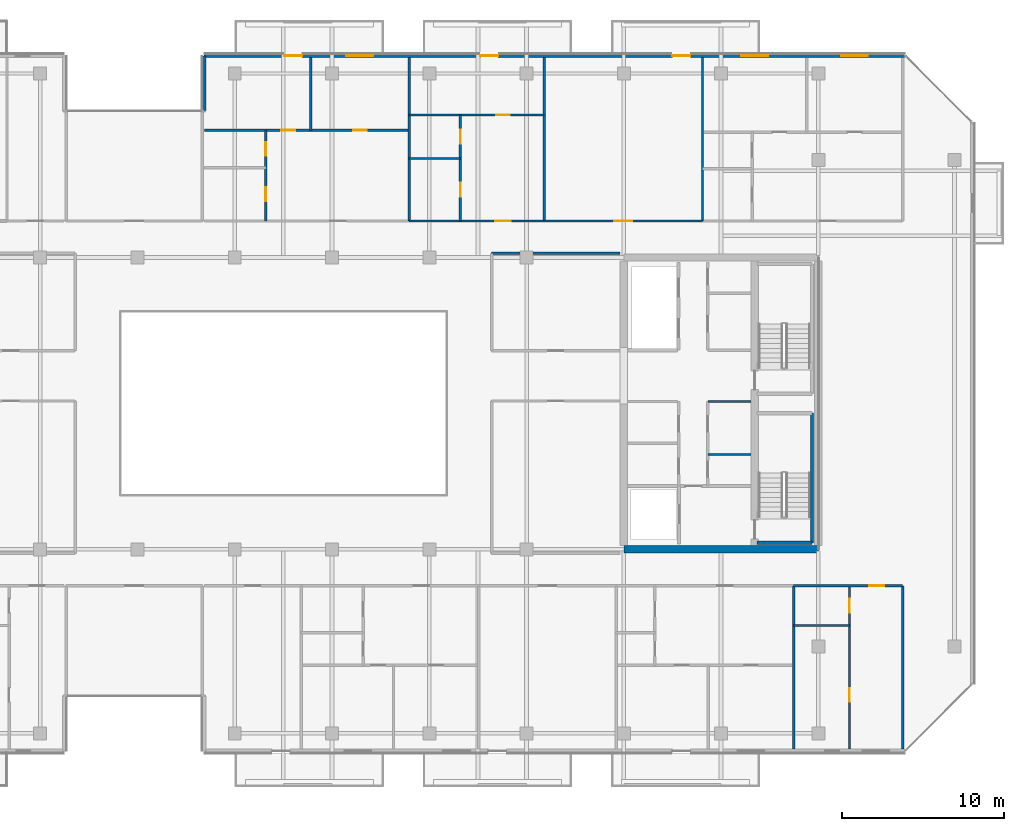
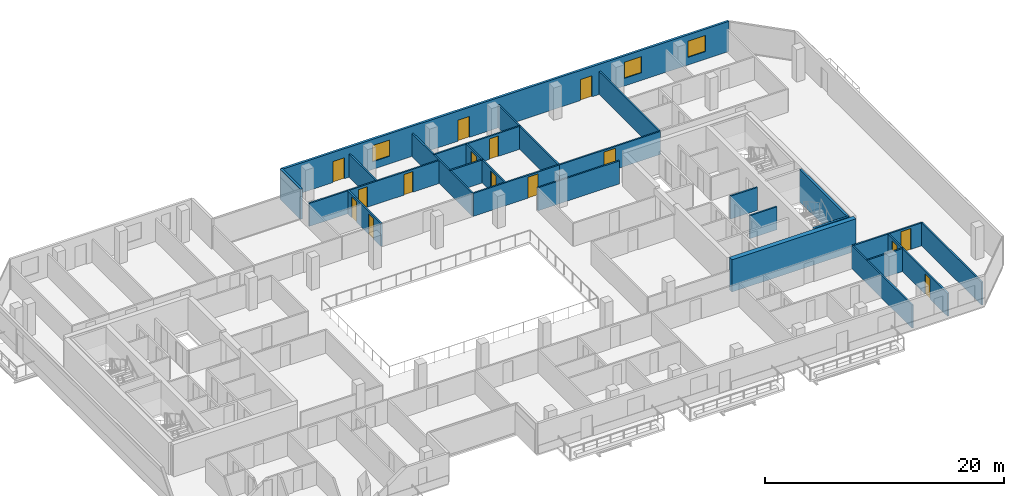
# One storey, part 22 of 29: 24 walls, 15 doors, 3 windows, 18 openings.
"""IFC4 building model written with IfcOpenShell, lengths in metres."""

from ifc_helpers import new_model, si_unit, direction, frame, frame_2d, origin, place, context, subcontext, project, spatial, rectangle, extrude, material, layer, layer_set, type_object, element, fill, save


model = new_model("IFC4")

# Units and contexts
model_context = context("Model", 3, precision=1e-05, world=origin(), true_north=direction((0.0, 1.0)))
body_context = subcontext(model_context, "Body", "Model", "MODEL_VIEW")
ifc_project = project(units=[si_unit("LENGTHUNIT", "METRE"), si_unit("AREAUNIT", "SQUARE_METRE"), si_unit("VOLUMEUNIT", "CUBIC_METRE"), si_unit("PLANEANGLEUNIT", "RADIAN"), si_unit("MASSUNIT", "GRAM", prefix="KILO")], contexts=[model_context])

# Site, building, storey
site_placement = place(None, origin())
site = spatial("IfcSite", under=ifc_project, at=site_placement, CompositionType="ELEMENT")
building_placement = place(site_placement, origin())
building = spatial("IfcBuilding", under=site, at=building_placement, Name="Tanjung Sevakor Pilgrim Tower", CompositionType="ELEMENT")
storey_placement = place(building_placement, frame((0.0, 0.0, 188.429931640625)))
storey = spatial("IfcBuildingStorey", under=building, at=storey_placement, Name="L52", CompositionType="ELEMENT", Elevation=188.429931640625)

# Walls
ifc_material_1 = material(Name="Concrete C60/75", Category="concrete")
ifc_layer_1 = layer(ifc_material_1, 0.449951171875)
ifc_layer_set_1 = layer_set([ifc_layer_1], Name="WALL-CW-450")
wall_type_1 = type_object("IfcWallType", Name="WALL-CW-450", PredefinedType="SHEAR", material=ifc_layer_set_1)
wall_1_placement = place(storey_placement, frame((78.0, 24.60009765625, 0.0), z_axis=(0.0, 0.0, 1.0), x_axis=(1.0, 0.0, 0.0)))
element("IfcWall", 1, at=wall_1_placement, inside=storey, type_object=wall_type_1, Name="L52 E Core South Shear Wall", PredefinedType="SHEAR", context=body_context, shape_type="SweptSolid", body=[
    extrude(rectangle(XDim=12.0, YDim=0.449951171875, at=frame_2d((6.0, 0.0))), origin(), (0.0, 0.0, 1.0), 3.300048828125),
])
ifc_material_2 = material(Name="Concrete C40/50", Category="concrete")
ifc_layer_2 = layer(ifc_material_2, 0.14990234375)
ifc_layer_set_2 = layer_set([ifc_layer_2], Name="WT-COMP-150")
wall_type_2 = type_object("IfcWallType", Name="WT-COMP-150", PredefinedType="SOLIDWALL", material=ifc_layer_set_2)
for number, where, z_axis, x_axis, name in (
    (2, (83.199951171875, 30.449951171875, 0.0), (0.0, 0.0, 1.0), (1.0, 0.0, 0.0), "L52 Partition IW-L52-016"),
    (3, (83.199951171875, 33.719970703125, 0.0), (0.0, 0.0, 1.0), (1.0, 0.0, 0.0), "L52 Partition IW-L52-017"),
):
    element("IfcWall", number, at=place(storey_placement, frame(where, z_axis=z_axis, x_axis=x_axis)), inside=storey, type_object=wall_type_2, Name=name, PredefinedType="SOLIDWALL", context=body_context, shape_type="SweptSolid", body=[
        extrude(rectangle(XDim=2.630126953125, YDim=0.14990234375, at=frame_2d((1.31494140625, 0.0))), origin(), (0.0, 0.0, 1.0), 2.35009765625),
    ])
wall_2_placement = place(storey_placement, frame((69.85009765625, 42.85009765625, 0.0), z_axis=(0.0, 0.0, 1.0), x_axis=(1.0, 0.0, 0.0)))
element("IfcWall", 4, at=wall_2_placement, inside=storey, type_object=wall_type_2, Name="L52 Partition IW-L52-037", PredefinedType="SOLIDWALL", context=body_context, shape_type="SweptSolid", body=[
    extrude(rectangle(XDim=7.90478515625, YDim=0.14990234375, at=frame_2d((3.952392578125, 0.0))), origin(), (0.0, 0.0, 1.0), 2.35009765625),
])
for number, where, z_axis, x_axis, name in (
    (5, (95.199951171875, 12.27001953125, 0.0), (0.0, 0.0, 1.0), (0.0, 1.0, 0.0), "L52 Partition IW-L52-057"),
    (6, (88.4765625, 12.27001953125, 0.0), (0.0, 0.0, 1.0), (0.0, 1.0, 0.0), "L52 Partition IW-L52-068"),
):
    element("IfcWall", number, at=place(storey_placement, frame(where, z_axis=z_axis, x_axis=x_axis)), inside=storey, type_object=wall_type_2, Name=name, PredefinedType="SOLIDWALL", context=body_context, shape_type="SweptSolid", body=[
        extrude(rectangle(XDim=10.080078125, YDim=0.14990234375, at=frame_2d((5.0400390625, 0.0))), origin(), (0.0, 0.0, 1.0), 2.35009765625),
    ])

# Wall, opening, door
wall_3_placement = place(storey_placement, frame((88.4765625, 22.35009765625, 0.0), z_axis=(0.0, 0.0, 1.0), x_axis=(1.0, 0.0, 0.0)))
wall_3 = element("IfcWall", 7, at=wall_3_placement, inside=storey, type_object=wall_type_2, Name="L52 Partition IW-L52-076", PredefinedType="SOLIDWALL", context=body_context, shape_type="SweptSolid", body=[
    extrude(rectangle(XDim=6.723388671875, YDim=0.14990234375, at=frame_2d((3.36181640625, 0.0))), origin(), (0.0, 0.0, 1.0), 2.35009765625),
])
opening_1_placement = place(wall_3_placement, frame((4.6484375, 0.0, 0.0)))
opening_1 = element("IfcOpeningElement", 8, at=opening_1_placement, cuts=wall_3, Name="Opening ID-FD2", PredefinedType="OPENING", context=body_context, shape_type="SweptSolid", body=[
    extrude(rectangle(XDim=0.949951171875, YDim=2.14990234375, at=frame_2d((0.47509765625, 1.074951171875))), frame((0.0, 0.0849609375, 0.0), z_axis=(0.0, -1.0, 0.0), x_axis=(1.0, 0.0, 0.0)), (0.0, 0.0, 1.0), 0.169921875),
])
ifc_material_3 = material(Name="Fire-Rated Timber", Category="wood")
door_type_1 = type_object("IfcDoorType", Name="DT-FIRE-950", OperationType="NOTDEFINED", PredefinedType="DOOR", material=ifc_material_3)
door_1_placement = place(opening_1_placement, origin())
door_1 = element("IfcDoor", 9, at=door_1_placement, inside=storey, type_object=door_type_1, Name="Hostel Quad Entrance", OperationType="SINGLE_SWING_RIGHT", OverallHeight=2.14990234375, OverallWidth=0.949951171875, PredefinedType="DOOR", context=body_context, shape_type="SweptSolid", body=[
    extrude(rectangle(XDim=0.949951171875, YDim=2.14990234375, at=frame_2d((0.47509765625, 1.074951171875))), frame((0.0, 0.02490234375, 0.0), z_axis=(0.0, -1.0, 0.0), x_axis=(1.0, 0.0, 0.0)), (0.0, 0.0, 1.0), 0.050048828125),
])
fill(opening_1, door_1)

# Walls
for number, where, z_axis, x_axis, name in (
    (10, (64.7568359375, 44.85009765625, 0.0), (0.0, 0.0, 1.0), (0.0, 1.0, 0.0), "L52 Partition IW-L52-086"),
    (11, (73.085693359375, 44.85009765625, 0.0), (0.0, 0.0, 1.0), (0.0, 1.0, 0.0), "L52 Partition IW-L52-092"),
):
    element("IfcWall", number, at=place(storey_placement, frame(where, z_axis=z_axis, x_axis=x_axis)), inside=storey, type_object=wall_type_2, Name=name, PredefinedType="SOLIDWALL", context=body_context, shape_type="SweptSolid", body=[
        extrude(rectangle(XDim=10.079833984375, YDim=0.14990234375, at=frame_2d((5.0400390625, 0.0))), origin(), (0.0, 0.0, 1.0), 2.35009765625),
    ])

# Wall, opening, door
wall_4_placement = place(storey_placement, frame((64.7568359375, 44.85009765625, 0.0), z_axis=(0.0, 0.0, 1.0), x_axis=(1.0, 0.0, 0.0)))
wall_4 = element("IfcWall", 12, at=wall_4_placement, inside=storey, type_object=wall_type_2, Name="L52 Partition IW-L52-096", PredefinedType="SOLIDWALL", context=body_context, shape_type="SweptSolid", body=[
    extrude(rectangle(XDim=8.328857421875, YDim=0.14990234375, at=frame_2d((4.16455078125, 0.0))), origin(), (0.0, 0.0, 1.0), 2.35009765625),
])
opening_2_placement = place(wall_4_placement, frame((5.31103515625, 0.0, 0.0)))
opening_2 = element("IfcOpeningElement", 13, at=opening_2_placement, cuts=wall_4, Name="Opening ID-FD2", PredefinedType="OPENING", context=body_context, shape_type="SweptSolid", body=[
    extrude(rectangle(XDim=0.949951171875, YDim=2.14990234375, at=frame_2d((0.47509765625, 1.074951171875))), frame((0.0, 0.0849609375, 0.0), z_axis=(0.0, -1.0, 0.0), x_axis=(1.0, 0.0, 0.0)), (0.0, 0.0, 1.0), 0.169921875),
])
door_2_placement = place(opening_2_placement, origin())
door_2 = element("IfcDoor", 14, at=door_2_placement, inside=storey, type_object=door_type_1, Name="Residence Entrance", OperationType="SINGLE_SWING_LEFT", OverallHeight=2.14990234375, OverallWidth=0.949951171875, PredefinedType="DOOR", context=body_context, shape_type="SweptSolid", body=[
    extrude(rectangle(XDim=0.949951171875, YDim=2.14990234375, at=frame_2d((0.47509765625, 1.074951171875))), frame((0.0, 0.02490234375, 0.0), z_axis=(0.0, -1.0, 0.0), x_axis=(1.0, 0.0, 0.0)), (0.0, 0.0, 1.0), 0.050048828125),
])
fill(opening_2, door_2)

# Wall
wall_5_placement = place(storey_placement, frame((82.850341796875, 44.85009765625, 0.0), z_axis=(0.0, 0.0, 1.0), x_axis=(0.0, 1.0, 0.0)))
element("IfcWall", 15, at=wall_5_placement, inside=storey, type_object=wall_type_2, Name="L52 Partition IW-L52-097", PredefinedType="SOLIDWALL", context=body_context, shape_type="SweptSolid", body=[
    extrude(rectangle(XDim=10.079833984375, YDim=0.14990234375, at=frame_2d((5.0400390625, 0.0))), origin(), (0.0, 0.0, 1.0), 2.35009765625),
])

# Wall, opening, door
wall_6_placement = place(storey_placement, frame((73.085693359375, 44.85009765625, 0.0), z_axis=(0.0, 0.0, 1.0), x_axis=(1.0, 0.0, 0.0)))
wall_6 = element("IfcWall", 16, at=wall_6_placement, inside=storey, type_object=wall_type_2, Name="L52 Partition IW-L52-098", PredefinedType="SOLIDWALL", context=body_context, shape_type="SweptSolid", body=[
    extrude(rectangle(XDim=9.7646484375, YDim=0.14990234375, at=frame_2d((4.88232421875, 0.0))), origin(), (0.0, 0.0, 1.0), 2.35009765625),
])
opening_3_placement = place(wall_6_placement, frame((4.33251953125, 0.0, 0.0)))
opening_3 = element("IfcOpeningElement", 17, at=opening_3_placement, cuts=wall_6, Name="Opening ID-FD0", PredefinedType="OPENING", context=body_context, shape_type="SweptSolid", body=[
    extrude(rectangle(XDim=1.10009765625, YDim=2.14990234375, at=frame_2d((0.550048828125, 1.074951171875))), frame((0.0, 0.0849609375, 0.0), z_axis=(0.0, -1.0, 0.0), x_axis=(1.0, 0.0, 0.0)), (0.0, 0.0, 1.0), 0.169921875),
])
ifc_material_4 = material(Name="Fire-Rated Steel S355J2", Category="steel")
door_type_2 = type_object("IfcDoorType", Name="DT-FIRE-1100", OperationType="NOTDEFINED", PredefinedType="DOOR", material=ifc_material_4)
door_3_placement = place(opening_3_placement, origin())
door_3 = element("IfcDoor", 18, at=door_3_placement, inside=storey, type_object=door_type_2, Name="Council Room Door", OperationType="SINGLE_SWING_RIGHT", OverallHeight=2.14990234375, OverallWidth=1.10009765625, PredefinedType="DOOR", context=body_context, shape_type="SweptSolid", body=[
    extrude(rectangle(XDim=1.10009765625, YDim=2.14990234375, at=frame_2d((0.550048828125, 1.074951171875))), frame((0.0, 0.02490234375, 0.0), z_axis=(0.0, -1.0, 0.0), x_axis=(1.0, 0.0, 0.0)), (0.0, 0.0, 1.0), 0.050048828125),
])
fill(opening_3, door_3)

# Wall, openings, doors, windows
ifc_material_5 = material(Name="Precast concrete C45/55", Category="concrete")
ifc_layer_3 = layer(ifc_material_5, 0.219970703125)
ifc_layer_set_3 = layer_set([ifc_layer_3], Name="WT-EW-STN4")
wall_type_3 = type_object("IfcWallType", Name="WT-EW-STN4", PredefinedType="SOLIDWALL", material=ifc_layer_set_3)
wall_7_placement = place(storey_placement, frame((95.3544921875, 55.0400390625, 0.0), z_axis=(0.0, 0.0, 1.0), x_axis=(-1.0, 0.0, 0.0)))
wall_7 = element("IfcWall", 19, at=wall_7_placement, inside=storey, type_object=wall_type_3, Name="L52 MAIN Exterior Wall 9", PredefinedType="SOLIDWALL", context=body_context, shape_type="SweptSolid", body=[
    extrude(rectangle(XDim=43.244384765625, YDim=0.219970703125, at=frame_2d((21.6220703125, 0.0))), origin(), (0.0, 0.0, 1.0), 3.080078125),
])
opening_4_placement = place(wall_7_placement, frame((37.204345703125, 0.0, 0.0)))
opening_4 = element("IfcOpeningElement", 20, at=opening_4_placement, cuts=wall_7, Name="Opening ED-BAL-1100", PredefinedType="OPENING", context=body_context, shape_type="SweptSolid", body=[
    extrude(rectangle(XDim=1.10009765625, YDim=2.14990234375, at=frame_2d((0.550048828125, 1.074951171875))), frame((0.0, 0.119873046875, 0.0), z_axis=(0.0, -1.0, 0.0), x_axis=(1.0, 0.0, 0.0)), (0.0, 0.0, 1.0), 0.239990234375),
])
opening_5_placement = place(wall_7_placement, frame((25.1044921875, 0.0, 0.0)))
opening_5 = element("IfcOpeningElement", 21, at=opening_5_placement, cuts=wall_7, Name="Opening ED-BAL-1100", PredefinedType="OPENING", context=body_context, shape_type="SweptSolid", body=[
    extrude(rectangle(XDim=1.10009765625, YDim=2.14990234375, at=frame_2d((0.550048828125, 1.074951171875))), frame((0.0, 0.119873046875, 0.0), z_axis=(0.0, -1.0, 0.0), x_axis=(1.0, 0.0, 0.0)), (0.0, 0.0, 1.0), 0.239990234375),
])
opening_6_placement = place(wall_7_placement, frame((13.25439453125, 0.0, 0.0)))
opening_6 = element("IfcOpeningElement", 22, at=opening_6_placement, cuts=wall_7, Name="Opening ED-BAL-1100", PredefinedType="OPENING", context=body_context, shape_type="SweptSolid", body=[
    extrude(rectangle(XDim=1.10009765625, YDim=2.14990234375, at=frame_2d((0.550048828125, 1.074951171875))), frame((0.0, 0.119873046875, 0.0), z_axis=(0.0, -1.0, 0.0), x_axis=(1.0, 0.0, 0.0)), (0.0, 0.0, 1.0), 0.239990234375),
])
opening_7_placement = place(wall_7_placement, frame((32.8154296875, 0.0, 0.780029296875)))
opening_7 = element("IfcOpeningElement", 23, at=opening_7_placement, cuts=wall_7, Name="Opening WN-Z4-1660", PredefinedType="OPENING", context=body_context, shape_type="SweptSolid", body=[
    extrude(rectangle(XDim=1.64990234375, YDim=1.659912109375, at=frame_2d((0.824951171875, 0.830078125))), frame((0.0, 0.119873046875, 0.0), z_axis=(0.0, -1.0, 0.0), x_axis=(1.0, 0.0, 0.0)), (0.0, 0.0, 1.0), 0.239990234375),
])
opening_8_placement = place(wall_7_placement, frame((8.4580078125, 0.0, 0.780029296875)))
opening_8 = element("IfcOpeningElement", 24, at=opening_8_placement, cuts=wall_7, Name="Opening WN-Z4-1660", PredefinedType="OPENING", context=body_context, shape_type="SweptSolid", body=[
    extrude(rectangle(XDim=1.64990234375, YDim=1.659912109375, at=frame_2d((0.824951171875, 0.830078125))), frame((0.0, 0.119873046875, 0.0), z_axis=(0.0, -1.0, 0.0), x_axis=(1.0, 0.0, 0.0)), (0.0, 0.0, 1.0), 0.239990234375),
])
opening_9_placement = place(wall_7_placement, frame((2.30322265625, 0.0, 0.780029296875)))
opening_9 = element("IfcOpeningElement", 25, at=opening_9_placement, cuts=wall_7, Name="Opening WN-Z4-1660", PredefinedType="OPENING", context=body_context, shape_type="SweptSolid", body=[
    extrude(rectangle(XDim=1.64990234375, YDim=1.659912109375, at=frame_2d((0.824951171875, 0.830078125))), frame((0.0, 0.119873046875, 0.0), z_axis=(0.0, -1.0, 0.0), x_axis=(1.0, 0.0, 0.0)), (0.0, 0.0, 1.0), 0.239990234375),
])
ifc_material_6 = material(Name="Anodised Aluminium and Laminated Glass", Category="aluminium")
door_type_3 = type_object("IfcDoorType", Name="DTYP-ED-BAL-1100", OperationType="NOTDEFINED", PredefinedType="DOOR", material=ifc_material_6)
door_4_placement = place(opening_4_placement, frame((1.10009765625, 0.0, 0.0), z_axis=(0.0, 0.0, 1.0), x_axis=(-1.0, 0.0, 0.0)))
door_4 = element("IfcDoor", 26, at=door_4_placement, inside=storey, type_object=door_type_3, Name="L52 Balcony Door MAIN-N2", OperationType="SINGLE_SWING_RIGHT", OverallHeight=2.14990234375, OverallWidth=1.10009765625, PredefinedType="DOOR", context=body_context, shape_type="SweptSolid", body=[
    extrude(rectangle(XDim=1.10009765625, YDim=2.14990234375, at=frame_2d((0.550048828125, 1.074951171875))), frame((0.0, 0.02490234375, 0.0), z_axis=(0.0, -1.0, 0.0), x_axis=(1.0, 0.0, 0.0)), (0.0, 0.0, 1.0), 0.050048828125),
])
fill(opening_4, door_4)
door_5_placement = place(opening_5_placement, frame((1.10009765625, 0.0, 0.0), z_axis=(0.0, 0.0, 1.0), x_axis=(-1.0, 0.0, 0.0)))
door_5 = element("IfcDoor", 27, at=door_5_placement, inside=storey, type_object=door_type_3, Name="L52 Balcony Door MAIN-N3", OperationType="SINGLE_SWING_LEFT", OverallHeight=2.14990234375, OverallWidth=1.10009765625, PredefinedType="DOOR", context=body_context, shape_type="SweptSolid", body=[
    extrude(rectangle(XDim=1.10009765625, YDim=2.14990234375, at=frame_2d((0.550048828125, 1.074951171875))), frame((0.0, 0.02490234375, 0.0), z_axis=(0.0, -1.0, 0.0), x_axis=(1.0, 0.0, 0.0)), (0.0, 0.0, 1.0), 0.050048828125),
])
fill(opening_5, door_5)
door_6_placement = place(opening_6_placement, frame((1.10009765625, 0.0, 0.0), z_axis=(0.0, 0.0, 1.0), x_axis=(-1.0, 0.0, 0.0)))
door_6 = element("IfcDoor", 28, at=door_6_placement, inside=storey, type_object=door_type_3, Name="L52 Balcony Door MAIN-N4", OperationType="SINGLE_SWING_RIGHT", OverallHeight=2.14990234375, OverallWidth=1.10009765625, PredefinedType="DOOR", context=body_context, shape_type="SweptSolid", body=[
    extrude(rectangle(XDim=1.10009765625, YDim=2.14990234375, at=frame_2d((0.550048828125, 1.074951171875))), frame((0.0, 0.02490234375, 0.0), z_axis=(0.0, -1.0, 0.0), x_axis=(1.0, 0.0, 0.0)), (0.0, 0.0, 1.0), 0.050048828125),
])
fill(opening_6, door_6)
ifc_material_7 = material(Name="Thermally Broken Aluminium and Low-E Glass", Category="aluminium")
window_type = type_object("IfcWindowType", Name="WTYP-WN-Z4-1660", PartitioningType="DOUBLE_PANEL_VERTICAL", PredefinedType="WINDOW", material=ifc_material_7)
window_1_placement = place(opening_7_placement, origin())
window_1 = element("IfcWindow", 29, at=window_1_placement, inside=storey, type_object=window_type, Name="L52 Facade Window 01", OverallHeight=1.659912109375, OverallWidth=1.64990234375, PartitioningType="SINGLE_PANEL", PredefinedType="WINDOW", context=body_context, shape_type="SweptSolid", body=[
    extrude(rectangle(XDim=1.64990234375, YDim=1.659912109375, at=frame_2d((0.824951171875, 0.830078125))), frame((0.0, 0.030029296875, 0.0), z_axis=(0.0, -1.0, 0.0), x_axis=(1.0, 0.0, 0.0)), (0.0, 0.0, 1.0), 0.06005859375),
])
fill(opening_7, window_1)
window_2_placement = place(opening_8_placement, origin())
window_2 = element("IfcWindow", 30, at=window_2_placement, inside=storey, type_object=window_type, Name="L52 Facade Window 02", OverallHeight=1.659912109375, OverallWidth=1.64990234375, PartitioningType="SINGLE_PANEL", PredefinedType="WINDOW", context=body_context, shape_type="SweptSolid", body=[
    extrude(rectangle(XDim=1.64990234375, YDim=1.659912109375, at=frame_2d((0.824951171875, 0.830078125))), frame((0.0, 0.030029296875, 0.0), z_axis=(0.0, -1.0, 0.0), x_axis=(1.0, 0.0, 0.0)), (0.0, 0.0, 1.0), 0.06005859375),
])
fill(opening_8, window_2)
window_3_placement = place(opening_9_placement, origin())
window_3 = element("IfcWindow", 31, at=window_3_placement, inside=storey, type_object=window_type, Name="L52 Facade Window 03", OverallHeight=1.659912109375, OverallWidth=1.64990234375, PartitioningType="SINGLE_PANEL", PredefinedType="WINDOW", context=body_context, shape_type="SweptSolid", body=[
    extrude(rectangle(XDim=1.64990234375, YDim=1.659912109375, at=frame_2d((0.824951171875, 0.830078125))), frame((0.0, 0.030029296875, 0.0), z_axis=(0.0, -1.0, 0.0), x_axis=(1.0, 0.0, 0.0)), (0.0, 0.0, 1.0), 0.06005859375),
])
fill(opening_9, window_3)

# Walls
wall_8_placement = place(storey_placement, frame((52.110107421875, 55.0400390625, 0.0), z_axis=(0.0, 0.0, 1.0), x_axis=(0.0, -1.0, 0.0)))
element("IfcWall", 32, at=wall_8_placement, inside=storey, type_object=wall_type_3, Name="L52 MAIN Exterior Wall 10", PredefinedType="SOLIDWALL", context=body_context, shape_type="SweptSolid", body=[
    extrude(rectangle(XDim=3.400146484375, YDim=0.219970703125, at=frame_2d((1.7001953125, 0.0))), origin(), (0.0, 0.0, 1.0), 3.080078125),
])
ifc_material_8 = material(Name="Concrete C40/50", Category="concrete")
ifc_layer_4 = layer(ifc_material_8, 0.199951171875)
ifc_layer_set_4 = layer_set([ifc_layer_4], Name="WT-FIRE-200")
wall_type_4 = type_object("IfcWallType", Name="WT-FIRE-200", PredefinedType="SOLIDWALL", material=ifc_layer_set_4)
wall_9_placement = place(storey_placement, frame((86.199951171875, 25.0, 0.0), z_axis=(0.0, 0.0, 1.0), x_axis=(1.0, 0.0, 0.0)))
element("IfcWall", 33, at=wall_9_placement, inside=storey, type_object=wall_type_4, Name="L52 TS-E1 Shaft Wall 1", PredefinedType="SOLIDWALL", context=body_context, shape_type="SweptSolid", body=[
    extrude(rectangle(XDim=3.400146484375, YDim=0.199951171875, at=frame_2d((1.7001953125, 0.0))), origin(), (0.0, 0.0, 1.0), 3.300048828125),
])
wall_10_placement = place(storey_placement, frame((89.60009765625, 25.0, 0.0), z_axis=(0.0, 0.0, 1.0), x_axis=(0.0, 1.0, 0.0)))
element("IfcWall", 34, at=wall_10_placement, inside=storey, type_object=wall_type_4, Name="L52 TS-E1 Shaft Wall 2", PredefinedType="SOLIDWALL", context=body_context, shape_type="SweptSolid", body=[
    extrude(rectangle(XDim=8.0, YDim=0.199951171875, at=frame_2d((4.0, 0.0))), origin(), (0.0, 0.0, 1.0), 3.300048828125),
])
ifc_material_9 = material(Name="Gypsum Board Partition", Category="gypsum board")
ifc_layer_5 = layer(ifc_material_9, 0.14990234375)
ifc_layer_set_5 = layer_set([ifc_layer_5], Name="WT-PART-150")
wall_type_5 = type_object("IfcWallType", Name="WT-PART-150", PredefinedType="PARTITIONING", material=ifc_layer_set_5)
wall_11_placement = place(storey_placement, frame((88.4765625, 19.89990234375, 0.0), z_axis=(0.0, 0.0, 1.0), x_axis=(1.0, 0.0, 0.0)))
element("IfcWall", 35, at=wall_11_placement, inside=storey, type_object=wall_type_5, Name="L52 Partition IW-L52-074", PredefinedType="PARTITIONING", context=body_context, shape_type="SweptSolid", body=[
    extrude(rectangle(XDim=3.443359375, YDim=0.14990234375, at=frame_2d((1.7216796875, 0.0))), origin(), (0.0, 0.0, 1.0), 2.35009765625),
])

# Wall, openings, doors
wall_12_placement = place(storey_placement, frame((91.919921875, 12.27001953125, 0.0), z_axis=(0.0, 0.0, 1.0), x_axis=(0.0, 1.0, 0.0)))
wall_12 = element("IfcWall", 36, at=wall_12_placement, inside=storey, type_object=wall_type_5, Name="L52 Partition IW-L52-075", PredefinedType="PARTITIONING", context=body_context, shape_type="SweptSolid", body=[
    extrude(rectangle(XDim=10.080078125, YDim=0.14990234375, at=frame_2d((5.0400390625, 0.0))), origin(), (0.0, 0.0, 1.0), 2.35009765625),
])
opening_10_placement = place(wall_12_placement, frame((2.912109375, 0.0, 0.0)))
opening_10 = element("IfcOpeningElement", 37, at=opening_10_placement, cuts=wall_12, Name="Opening ID-WC1", PredefinedType="OPENING", context=body_context, shape_type="SweptSolid", body=[
    extrude(rectangle(XDim=0.85009765625, YDim=2.10009765625, at=frame_2d((0.425048828125, 1.050048828125))), frame((0.0, 0.0849609375, 0.0), z_axis=(0.0, -1.0, 0.0), x_axis=(1.0, 0.0, 0.0)), (0.0, 0.0, 1.0), 0.169921875),
])
opening_11_placement = place(wall_12_placement, frame((8.429931640625, 0.0, 0.0)))
opening_11 = element("IfcOpeningElement", 38, at=opening_11_placement, cuts=wall_12, Name="Opening ID-WC1", PredefinedType="OPENING", context=body_context, shape_type="SweptSolid", body=[
    extrude(rectangle(XDim=0.85009765625, YDim=2.10009765625, at=frame_2d((0.425048828125, 1.050048828125))), frame((0.0, 0.0849609375, 0.0), z_axis=(0.0, -1.0, 0.0), x_axis=(1.0, 0.0, 0.0)), (0.0, 0.0, 1.0), 0.169921875),
])
ifc_material_10 = material(Name="Moisture-Resistant Timber", Category="wood")
door_type_4 = type_object("IfcDoorType", Name="DT-INT-850", OperationType="NOTDEFINED", PredefinedType="DOOR", material=ifc_material_10)
door_7_placement = place(opening_10_placement, origin())
door_7 = element("IfcDoor", 39, at=door_7_placement, inside=storey, type_object=door_type_4, Name="Study Nook Door", OperationType="SINGLE_SWING_RIGHT", OverallHeight=2.10009765625, OverallWidth=0.85009765625, PredefinedType="DOOR", context=body_context, shape_type="SweptSolid", body=[
    extrude(rectangle(XDim=0.85009765625, YDim=2.10009765625, at=frame_2d((0.425048828125, 1.050048828125))), frame((0.0, 0.02490234375, 0.0), z_axis=(0.0, -1.0, 0.0), x_axis=(1.0, 0.0, 0.0)), (0.0, 0.0, 1.0), 0.050048828125),
])
fill(opening_10, door_7)
door_8_placement = place(opening_11_placement, origin())
door_8 = element("IfcDoor", 40, at=door_8_placement, inside=storey, type_object=door_type_4, Name="Bathroom Door", OperationType="SINGLE_SWING_LEFT", OverallHeight=2.10009765625, OverallWidth=0.85009765625, PredefinedType="DOOR", context=body_context, shape_type="SweptSolid", body=[
    extrude(rectangle(XDim=0.85009765625, YDim=2.10009765625, at=frame_2d((0.425048828125, 1.050048828125))), frame((0.0, 0.02490234375, 0.0), z_axis=(0.0, -1.0, 0.0), x_axis=(1.0, 0.0, 0.0)), (0.0, 0.0, 1.0), 0.050048828125),
])
fill(opening_11, door_8)

wall_13_placement = place(storey_placement, frame((55.919921875, 44.85009765625, 0.0), z_axis=(0.0, 0.0, 1.0), x_axis=(0.0, 1.0, 0.0)))
wall_13 = element("IfcWall", 41, at=wall_13_placement, inside=storey, type_object=wall_type_5, Name="L52 Partition IW-L52-088", PredefinedType="PARTITIONING", context=body_context, shape_type="SweptSolid", body=[
    extrude(rectangle(XDim=5.590576171875, YDim=0.14990234375, at=frame_2d((2.79541015625, 0.0))), origin(), (0.0, 0.0, 1.0), 2.35009765625),
])
opening_12_placement = place(wall_13_placement, frame((1.22412109375, 0.0, 0.0)))
opening_12 = element("IfcOpeningElement", 42, at=opening_12_placement, cuts=wall_13, Name="Opening ID-WC1", PredefinedType="OPENING", context=body_context, shape_type="SweptSolid", body=[
    extrude(rectangle(XDim=0.85009765625, YDim=2.10009765625, at=frame_2d((0.425048828125, 1.050048828125))), frame((0.0, 0.0849609375, 0.0), z_axis=(0.0, -1.0, 0.0), x_axis=(1.0, 0.0, 0.0)), (0.0, 0.0, 1.0), 0.169921875),
])
opening_13_placement = place(wall_13_placement, frame((4.01953125, 0.0, 0.0)))
opening_13 = element("IfcOpeningElement", 43, at=opening_13_placement, cuts=wall_13, Name="Opening ID-WC1", PredefinedType="OPENING", context=body_context, shape_type="SweptSolid", body=[
    extrude(rectangle(XDim=0.85009765625, YDim=2.10009765625, at=frame_2d((0.425048828125, 1.050048828125))), frame((0.0, 0.0849609375, 0.0), z_axis=(0.0, -1.0, 0.0), x_axis=(1.0, 0.0, 0.0)), (0.0, 0.0, 1.0), 0.169921875),
])
door_9_placement = place(opening_12_placement, origin())
door_9 = element("IfcDoor", 44, at=door_9_placement, inside=storey, type_object=door_type_4, Name="Suite Kitchenette Door", OperationType="SINGLE_SWING_LEFT", OverallHeight=2.10009765625, OverallWidth=0.85009765625, PredefinedType="DOOR", context=body_context, shape_type="SweptSolid", body=[
    extrude(rectangle(XDim=0.85009765625, YDim=2.10009765625, at=frame_2d((0.425048828125, 1.050048828125))), frame((0.0, 0.02490234375, 0.0), z_axis=(0.0, -1.0, 0.0), x_axis=(1.0, 0.0, 0.0)), (0.0, 0.0, 1.0), 0.050048828125),
])
fill(opening_12, door_9)
door_10_placement = place(opening_13_placement, origin())
door_10 = element("IfcDoor", 45, at=door_10_placement, inside=storey, type_object=door_type_4, Name="Suite Bathroom Door", OperationType="SINGLE_SWING_RIGHT", OverallHeight=2.10009765625, OverallWidth=0.85009765625, PredefinedType="DOOR", context=body_context, shape_type="SweptSolid", body=[
    extrude(rectangle(XDim=0.85009765625, YDim=2.10009765625, at=frame_2d((0.425048828125, 1.050048828125))), frame((0.0, 0.02490234375, 0.0), z_axis=(0.0, -1.0, 0.0), x_axis=(1.0, 0.0, 0.0)), (0.0, 0.0, 1.0), 0.050048828125),
])
fill(opening_13, door_10)

# Wall
wall_14_placement = place(storey_placement, frame((58.691162109375, 50.440673828125, 0.0), z_axis=(0.0, 0.0, 1.0), x_axis=(0.0, 1.0, 0.0)))
element("IfcWall", 46, at=wall_14_placement, inside=storey, type_object=wall_type_5, Name="L52 Partition IW-L52-089", PredefinedType="PARTITIONING", context=body_context, shape_type="SweptSolid", body=[
    extrude(rectangle(XDim=4.4892578125, YDim=0.14990234375, at=frame_2d((2.24462890625, 0.0))), origin(), (0.0, 0.0, 1.0), 2.35009765625),
])

# Wall, openings, doors
wall_15_placement = place(storey_placement, frame((52.1201171875, 50.440673828125, 0.0), z_axis=(0.0, 0.0, 1.0), x_axis=(1.0, 0.0, 0.0)))
wall_15 = element("IfcWall", 47, at=wall_15_placement, inside=storey, type_object=wall_type_5, Name="L52 Partition IW-L52-090", PredefinedType="PARTITIONING", context=body_context, shape_type="SweptSolid", body=[
    extrude(rectangle(XDim=12.63671875, YDim=0.14990234375, at=frame_2d((6.318359375, 0.0))), origin(), (0.0, 0.0, 1.0), 2.35009765625),
])
opening_14_placement = place(wall_15_placement, frame((4.760498046875, 0.0, 0.0)))
opening_14 = element("IfcOpeningElement", 48, at=opening_14_placement, cuts=wall_15, Name="Opening ID-WC1", PredefinedType="OPENING", context=body_context, shape_type="SweptSolid", body=[
    extrude(rectangle(XDim=0.85009765625, YDim=2.10009765625, at=frame_2d((0.425048828125, 1.050048828125))), frame((0.0, 0.0849609375, 0.0), z_axis=(0.0, -1.0, 0.0), x_axis=(1.0, 0.0, 0.0)), (0.0, 0.0, 1.0), 0.169921875),
])
opening_15_placement = place(wall_15_placement, frame((9.178955078125, 0.0, 0.0)))
opening_15 = element("IfcOpeningElement", 49, at=opening_15_placement, cuts=wall_15, Name="Opening ID-WC1", PredefinedType="OPENING", context=body_context, shape_type="SweptSolid", body=[
    extrude(rectangle(XDim=0.85009765625, YDim=2.10009765625, at=frame_2d((0.425048828125, 1.050048828125))), frame((0.0, 0.0849609375, 0.0), z_axis=(0.0, -1.0, 0.0), x_axis=(1.0, 0.0, 0.0)), (0.0, 0.0, 1.0), 0.169921875),
])
door_11_placement = place(opening_14_placement, origin())
door_11 = element("IfcDoor", 50, at=door_11_placement, inside=storey, type_object=door_type_4, Name="Suite Bedroom 1 Door", OperationType="SINGLE_SWING_LEFT", OverallHeight=2.10009765625, OverallWidth=0.85009765625, PredefinedType="DOOR", context=body_context, shape_type="SweptSolid", body=[
    extrude(rectangle(XDim=0.85009765625, YDim=2.10009765625, at=frame_2d((0.425048828125, 1.050048828125))), frame((0.0, 0.02490234375, 0.0), z_axis=(0.0, -1.0, 0.0), x_axis=(1.0, 0.0, 0.0)), (0.0, 0.0, 1.0), 0.050048828125),
])
fill(opening_14, door_11)
door_12_placement = place(opening_15_placement, origin())
door_12 = element("IfcDoor", 51, at=door_12_placement, inside=storey, type_object=door_type_4, Name="Suite Bedroom 2 Door", OperationType="SINGLE_SWING_RIGHT", OverallHeight=2.10009765625, OverallWidth=0.85009765625, PredefinedType="DOOR", context=body_context, shape_type="SweptSolid", body=[
    extrude(rectangle(XDim=0.85009765625, YDim=2.10009765625, at=frame_2d((0.425048828125, 1.050048828125))), frame((0.0, 0.02490234375, 0.0), z_axis=(0.0, -1.0, 0.0), x_axis=(1.0, 0.0, 0.0)), (0.0, 0.0, 1.0), 0.050048828125),
])
fill(opening_15, door_12)

# Wall
wall_16_placement = place(storey_placement, frame((64.7568359375, 48.70751953125, 0.0), z_axis=(0.0, 0.0, 1.0), x_axis=(1.0, 0.0, 0.0)))
element("IfcWall", 52, at=wall_16_placement, inside=storey, type_object=wall_type_5, Name="L52 Partition IW-L52-093", PredefinedType="PARTITIONING", context=body_context, shape_type="SweptSolid", body=[
    extrude(rectangle(XDim=3.1630859375, YDim=0.14990234375, at=frame_2d((1.58154296875, 0.0))), origin(), (0.0, 0.0, 1.0), 2.35009765625),
])

# Wall, openings, doors
wall_17_placement = place(storey_placement, frame((67.919921875, 44.85009765625, 0.0), z_axis=(0.0, 0.0, 1.0), x_axis=(0.0, 1.0, 0.0)))
wall_17 = element("IfcWall", 53, at=wall_17_placement, inside=storey, type_object=wall_type_5, Name="L52 Partition IW-L52-094", PredefinedType="PARTITIONING", context=body_context, shape_type="SweptSolid", body=[
    extrude(rectangle(XDim=6.5380859375, YDim=0.14990234375, at=frame_2d((3.26904296875, 0.0))), origin(), (0.0, 0.0, 1.0), 2.35009765625),
])
opening_16_placement = place(wall_17_placement, frame((1.50390625, 0.0, 0.0)))
opening_16 = element("IfcOpeningElement", 54, at=opening_16_placement, cuts=wall_17, Name="Opening ID-WC1", PredefinedType="OPENING", context=body_context, shape_type="SweptSolid", body=[
    extrude(rectangle(XDim=0.85009765625, YDim=2.10009765625, at=frame_2d((0.425048828125, 1.050048828125))), frame((0.0, 0.0849609375, 0.0), z_axis=(0.0, -1.0, 0.0), x_axis=(1.0, 0.0, 0.0)), (0.0, 0.0, 1.0), 0.169921875),
])
opening_17_placement = place(wall_17_placement, frame((4.772705078125, 0.0, 0.0)))
opening_17 = element("IfcOpeningElement", 55, at=opening_17_placement, cuts=wall_17, Name="Opening ID-WC1", PredefinedType="OPENING", context=body_context, shape_type="SweptSolid", body=[
    extrude(rectangle(XDim=0.85009765625, YDim=2.10009765625, at=frame_2d((0.425048828125, 1.050048828125))), frame((0.0, 0.0849609375, 0.0), z_axis=(0.0, -1.0, 0.0), x_axis=(1.0, 0.0, 0.0)), (0.0, 0.0, 1.0), 0.169921875),
])
door_13_placement = place(opening_16_placement, origin())
door_13 = element("IfcDoor", 56, at=door_13_placement, inside=storey, type_object=door_type_4, Name="Residence Kitchenette Door", OperationType="SINGLE_SWING_RIGHT", OverallHeight=2.10009765625, OverallWidth=0.85009765625, PredefinedType="DOOR", context=body_context, shape_type="SweptSolid", body=[
    extrude(rectangle(XDim=0.85009765625, YDim=2.10009765625, at=frame_2d((0.425048828125, 1.050048828125))), frame((0.0, 0.02490234375, 0.0), z_axis=(0.0, -1.0, 0.0), x_axis=(1.0, 0.0, 0.0)), (0.0, 0.0, 1.0), 0.050048828125),
])
fill(opening_16, door_13)
door_14_placement = place(opening_17_placement, origin())
door_14 = element("IfcDoor", 57, at=door_14_placement, inside=storey, type_object=door_type_4, Name="Residence Bathroom Door", OperationType="SINGLE_SWING_LEFT", OverallHeight=2.10009765625, OverallWidth=0.85009765625, PredefinedType="DOOR", context=body_context, shape_type="SweptSolid", body=[
    extrude(rectangle(XDim=0.85009765625, YDim=2.10009765625, at=frame_2d((0.425048828125, 1.050048828125))), frame((0.0, 0.02490234375, 0.0), z_axis=(0.0, -1.0, 0.0), x_axis=(1.0, 0.0, 0.0)), (0.0, 0.0, 1.0), 0.050048828125),
])
fill(opening_17, door_14)

# Wall, opening, door
wall_18_placement = place(storey_placement, frame((64.7568359375, 51.38818359375, 0.0), z_axis=(0.0, 0.0, 1.0), x_axis=(1.0, 0.0, 0.0)))
wall_18 = element("IfcWall", 58, at=wall_18_placement, inside=storey, type_object=wall_type_5, Name="L52 Partition IW-L52-095", PredefinedType="PARTITIONING", context=body_context, shape_type="SweptSolid", body=[
    extrude(rectangle(XDim=8.328857421875, YDim=0.14990234375, at=frame_2d((4.16455078125, 0.0))), origin(), (0.0, 0.0, 1.0), 2.35009765625),
])
opening_18_placement = place(wall_18_placement, frame((5.361083984375, 0.0, 0.0)))
opening_18 = element("IfcOpeningElement", 59, at=opening_18_placement, cuts=wall_18, Name="Opening ID-WC1", PredefinedType="OPENING", context=body_context, shape_type="SweptSolid", body=[
    extrude(rectangle(XDim=0.85009765625, YDim=2.10009765625, at=frame_2d((0.425048828125, 1.050048828125))), frame((0.0, 0.0849609375, 0.0), z_axis=(0.0, -1.0, 0.0), x_axis=(1.0, 0.0, 0.0)), (0.0, 0.0, 1.0), 0.169921875),
])
door_15_placement = place(opening_18_placement, origin())
door_15 = element("IfcDoor", 60, at=door_15_placement, inside=storey, type_object=door_type_4, Name="Residence Bedroom Door", OperationType="SINGLE_SWING_RIGHT", OverallHeight=2.10009765625, OverallWidth=0.85009765625, PredefinedType="DOOR", context=body_context, shape_type="SweptSolid", body=[
    extrude(rectangle(XDim=0.85009765625, YDim=2.10009765625, at=frame_2d((0.425048828125, 1.050048828125))), frame((0.0, 0.02490234375, 0.0), z_axis=(0.0, -1.0, 0.0), x_axis=(1.0, 0.0, 0.0)), (0.0, 0.0, 1.0), 0.050048828125),
])
fill(opening_18, door_15)

save(model, "model.ifc")
